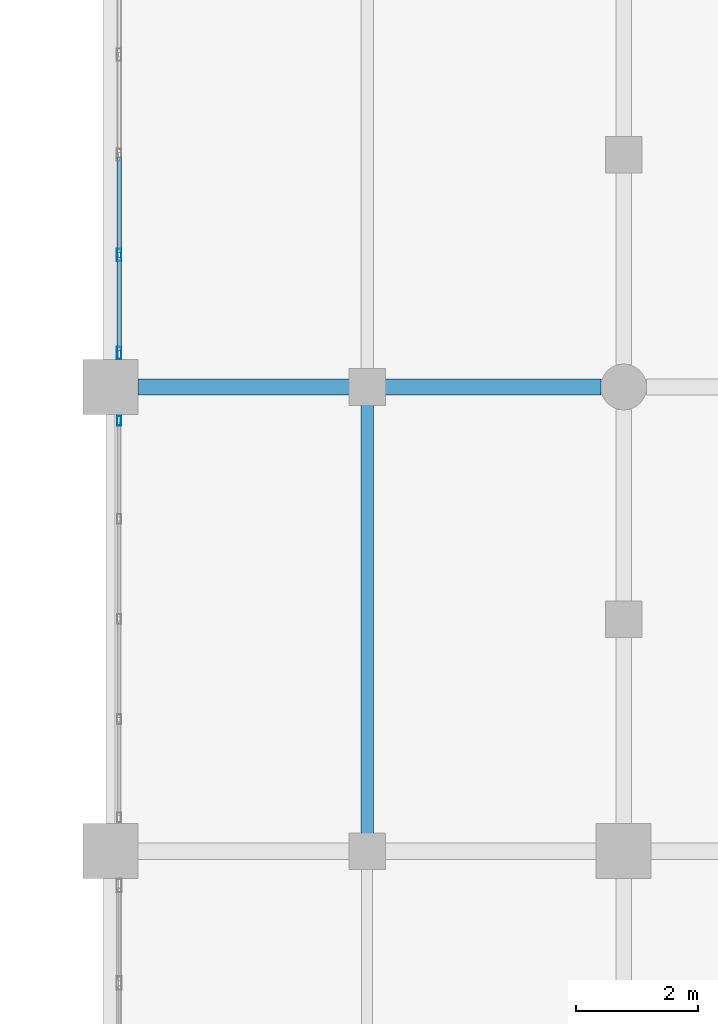
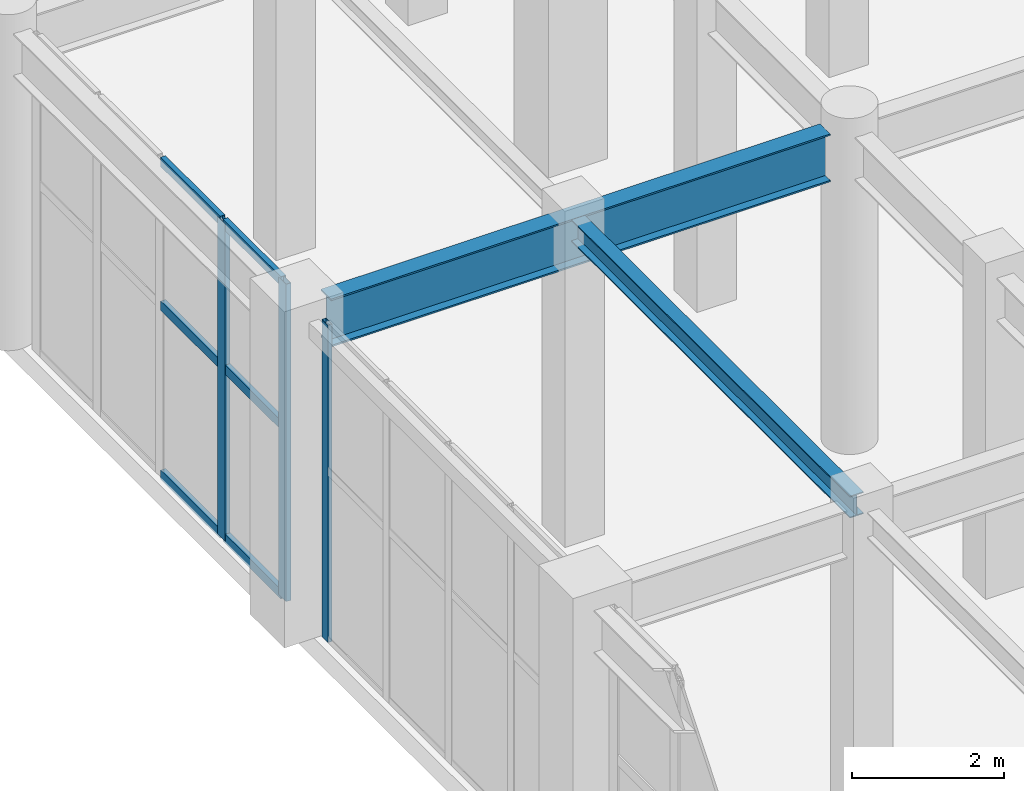
# One storey, part 28 of 139: 9 members, 2 beams, 2 elements without a shape of their own.
"""IFC4 building model written with IfcOpenShell, lengths in metres."""

from ifc_helpers import new_model, si_unit, direction, frame, origin, origin_2d, place, context, subcontext, project, spatial, hollow_rectangle, i_section, extrude, material, layer, layer_set, material_profile, profile_set, type_object, element, aggregate, save


model = new_model("IFC4")

# Units and contexts
model_context = context("Model", 3, precision=1e-05, world=origin(), true_north=direction((0.0, 1.0)))
body_context = subcontext(model_context, "Body", "Model", "MODEL_VIEW")
ifc_project = project(units=[si_unit("LENGTHUNIT", "METRE"), si_unit("AREAUNIT", "SQUARE_METRE"), si_unit("VOLUMEUNIT", "CUBIC_METRE"), si_unit("PLANEANGLEUNIT", "RADIAN"), si_unit("MASSUNIT", "GRAM", prefix="KILO")], contexts=[model_context])

# Site, building, storey
site_placement = place(None, origin())
site = spatial("IfcSite", under=ifc_project, at=site_placement, CompositionType="ELEMENT")
building_placement = place(site_placement, origin())
building = spatial("IfcBuilding", under=site, at=building_placement, Name="Xicomal Pleat Aquarium", CompositionType="ELEMENT")
storey_placement = place(building_placement, origin())
storey = spatial("IfcBuildingStorey", under=building, at=storey_placement, Name="L01", CompositionType="ELEMENT", Elevation=0.0)

# Beams
ifc_material_1 = material(Name="Structural steel A992 Gr 50", Category="steel")
ifc_material_profile_1 = material_profile(ifc_material_1, i_section(OverallWidth=0.205078125, OverallDepth=0.35400390625, WebThickness=0.009521484375, FlangeThickness=0.016845703125, at=origin_2d()), Name="IR 360x79")
ifc_profile_set_1 = profile_set([ifc_material_profile_1], Name="Structural steel A992 Gr 50")
beam_type_1 = type_object("IfcBeamType", Name="BM-STL-IR360", PredefinedType="JOIST", material=ifc_profile_set_1)
beam_1_placement = place(storey_placement, frame((48.0, 45.737060546875, 4.923095703125), z_axis=(0.0, 1.0, 0.0), x_axis=(-1.0, 0.0, 0.0)))
element("IfcBeam", 1, at=beam_1_placement, inside=storey, type_object=beam_type_1, Name="L01 framing beam FBJ-L01-06-G-1", PredefinedType="JOIST", context=body_context, shape_type="SweptSolid", body=[
    extrude(i_section(OverallWidth=0.205078125, OverallDepth=0.35400390625, WebThickness=0.009521484375, FlangeThickness=0.016845703125, at=origin_2d()), origin(), (0.0, 0.0, 1.0), 7.325927734375),
])
ifc_material_2 = material(Name="Structural steel A992 Gr 50", Category="steel")
ifc_material_profile_2 = material_profile(ifc_material_2, i_section(OverallWidth=0.26806640625, OverallDepth=0.77001953125, WebThickness=0.015625, FlangeThickness=0.025390625, at=origin_2d()), Name="IR 760x196")
ifc_profile_set_2 = profile_set([ifc_material_profile_2], Name="Structural steel A992 Gr 50")
beam_type_2 = type_object("IfcBeamType", Name="BM-STL-IR760", PredefinedType="BEAM", material=ifc_profile_set_2)
beam_2_placement = place(storey_placement, frame((44.2451171875, 53.199951171875, 4.715087890625), z_axis=(1.0, 0.0, 0.0), x_axis=(0.0, 1.0, 0.0)))
element("IfcBeam", 2, at=beam_2_placement, inside=storey, type_object=beam_type_2, Name="L01 framing beam FGX-L01-06-07-H", PredefinedType="BEAM", context=body_context, shape_type="SweptSolid", body=[
    extrude(i_section(OverallWidth=0.26806640625, OverallDepth=0.77001953125, WebThickness=0.015625, FlangeThickness=0.025390625, at=origin_2d()), origin(), (0.0, 0.0, 1.0), 7.5849609375),
])

# Curtain wall, member
ifc_material_3 = material(Name="Bronze anodized aluminium 6063-T6", Category="aluminium")
ifc_layer_1 = layer(ifc_material_3, 0.159912109375)
ifc_layer_set_1 = layer_set([ifc_layer_1], Name="Bronze anodized aluminium 6063-T6")
curtain_wall_type_1 = type_object("IfcCurtainWallType", Name="CW-SYS-01", PredefinedType="NOTDEFINED", material=ifc_layer_set_1)
curtain_wall_1_placement = place(storey_placement, origin())
curtain_wall_1 = element("IfcCurtainWall", 3, at=curtain_wall_1_placement, inside=storey, type_object=curtain_wall_type_1, Name="L01 unitised curtain wall CW-L01-030", PredefinedType="NOTDEFINED")
ifc_material_4 = material(Name="Bronze anodized aluminium 6063-T6", Category="aluminium")
ifc_material_profile_3 = material_profile(ifc_material_4, hollow_rectangle(XDim=0.06494140625, YDim=0.159912109375, WallThickness=0.00390625, at=origin_2d()), Name="ALU MULL 65x160")
ifc_profile_set_3 = profile_set([ifc_material_profile_3], Name="Bronze anodized aluminium 6063-T6")
member_type_1 = type_object("IfcMemberType", Name="CWM-65x160", PredefinedType="MULLION", material=ifc_profile_set_3)
member_1_placement = place(storey_placement, frame((43.93994140625, 52.6474609375, 0.0), z_axis=(0.0, 0.0, 1.0), x_axis=(-1.0, 0.0, 0.0)))
member_1 = element("IfcMember", 4, at=member_1_placement, type_object=member_type_1, Name="CW-01 mullion 5", PredefinedType="MULLION", context=body_context, shape_type="SweptSolid", body=[
    extrude(hollow_rectangle(XDim=0.06494140625, YDim=0.159912109375, WallThickness=0.00390625, at=origin_2d()), origin(), (0.0, 0.0, 1.0), 5.10009765625),
])
aggregate(curtain_wall_1, [member_1])

# Curtain wall, members
ifc_material_5 = material(Name="Bronze anodized aluminium 6063-T6", Category="aluminium")
ifc_layer_2 = layer(ifc_material_5, 0.159912109375)
ifc_layer_set_2 = layer_set([ifc_layer_2], Name="Bronze anodized aluminium 6063-T6")
curtain_wall_type_2 = type_object("IfcCurtainWallType", Name="CW-SYS-06", PredefinedType="NOTDEFINED", material=ifc_layer_set_2)
curtain_wall_2_placement = place(storey_placement, origin())
curtain_wall_2 = element("IfcCurtainWall", 5, at=curtain_wall_2_placement, inside=storey, type_object=curtain_wall_type_2, Name="L01 unitised curtain wall CW-L01-031", PredefinedType="NOTDEFINED")
ifc_material_6 = material(Name="Bronze anodized aluminium 6063-T6", Category="aluminium")
ifc_material_profile_4 = material_profile(ifc_material_6, hollow_rectangle(XDim=0.074951171875, YDim=0.199951171875, WallThickness=0.00439453125, at=origin_2d()), Name="ALU MULL 75x200")
ifc_profile_set_4 = profile_set([ifc_material_profile_4], Name="Bronze anodized aluminium 6063-T6")
member_type_2 = type_object("IfcMemberType", Name="CWM-75x200", PredefinedType="MULLION", material=ifc_profile_set_4)
member_2_placement = place(storey_placement, frame((43.93994140625, 53.757568359375, 0.0), z_axis=(0.0, 0.0, 1.0), x_axis=(-1.0, 0.0, 0.0)))
member_2 = element("IfcMember", 6, at=member_2_placement, type_object=member_type_2, Name="CW-06 mullion 1", PredefinedType="MULLION", context=body_context, shape_type="SweptSolid", body=[
    extrude(hollow_rectangle(XDim=0.074951171875, YDim=0.199951171875, WallThickness=0.00439453125, at=origin_2d()), origin(), (0.0, 0.0, 1.0), 5.10009765625),
])
member_3_placement = place(storey_placement, frame((43.93994140625, 55.360107421875, 0.0), z_axis=(0.0, 0.0, 1.0), x_axis=(-1.0, 0.0, 0.0)))
member_3 = element("IfcMember", 7, at=member_3_placement, type_object=member_type_2, Name="CW-06 mullion 2", PredefinedType="MULLION", context=body_context, shape_type="SweptSolid", body=[
    extrude(hollow_rectangle(XDim=0.074951171875, YDim=0.199951171875, WallThickness=0.00439453125, at=origin_2d()), origin(), (0.0, 0.0, 1.0), 5.10009765625),
])
ifc_material_7 = material(Name="Bronze anodized aluminium 6063-T6", Category="aluminium")
ifc_material_profile_5 = material_profile(ifc_material_7, hollow_rectangle(XDim=0.074951171875, YDim=0.14990234375, WallThickness=0.00439453125, at=origin_2d()), Name="ALU TRAN 75x150")
ifc_profile_set_5 = profile_set([ifc_material_profile_5], Name="Bronze anodized aluminium 6063-T6")
member_type_3 = type_object("IfcMemberType", Name="CWT-75x150", PredefinedType="USERDEFINED", material=ifc_profile_set_5)
member_4_placement = place(storey_placement, frame((43.93994140625, 53.794921875, 0.03759765625), z_axis=(0.0, 1.0, 0.0), x_axis=(-1.0, 0.0, 0.0)))
member_4 = element("IfcMember", 8, at=member_4_placement, type_object=member_type_3, Name="CW-06 transom 1.1", ObjectType="TRANSOM", PredefinedType="USERDEFINED", context=body_context, shape_type="SweptSolid", body=[
    extrude(hollow_rectangle(XDim=0.074951171875, YDim=0.14990234375, WallThickness=0.00439453125, at=origin_2d()), origin(), (0.0, 0.0, 1.0), 1.527587890625),
])
member_5_placement = place(storey_placement, frame((43.93994140625, 53.794921875, 2.75390625), z_axis=(0.0, 1.0, 0.0), x_axis=(-1.0, 0.0, 0.0)))
member_5 = element("IfcMember", 9, at=member_5_placement, type_object=member_type_3, Name="CW-06 transom 1.2", ObjectType="TRANSOM", PredefinedType="USERDEFINED", context=body_context, shape_type="SweptSolid", body=[
    extrude(hollow_rectangle(XDim=0.074951171875, YDim=0.14990234375, WallThickness=0.00439453125, at=origin_2d()), origin(), (0.0, 0.0, 1.0), 1.527587890625),
])
member_6_placement = place(storey_placement, frame((43.93994140625, 53.794921875, 5.0625), z_axis=(0.0, 1.0, 0.0), x_axis=(-1.0, 0.0, 0.0)))
member_6 = element("IfcMember", 10, at=member_6_placement, type_object=member_type_3, Name="CW-06 transom 1.3", ObjectType="TRANSOM", PredefinedType="USERDEFINED", context=body_context, shape_type="SweptSolid", body=[
    extrude(hollow_rectangle(XDim=0.074951171875, YDim=0.14990234375, WallThickness=0.00439453125, at=origin_2d()), origin(), (0.0, 0.0, 1.0), 1.527587890625),
])
member_7_placement = place(storey_placement, frame((43.93994140625, 55.3974609375, 0.03759765625), z_axis=(0.0, 1.0, 0.0), x_axis=(-1.0, 0.0, 0.0)))
member_7 = element("IfcMember", 11, at=member_7_placement, type_object=member_type_3, Name="CW-06 transom 2.1", ObjectType="TRANSOM", PredefinedType="USERDEFINED", context=body_context, shape_type="SweptSolid", body=[
    extrude(hollow_rectangle(XDim=0.074951171875, YDim=0.14990234375, WallThickness=0.00439453125, at=origin_2d()), origin(), (0.0, 0.0, 1.0), 1.56494140625),
])
member_8_placement = place(storey_placement, frame((43.93994140625, 55.3974609375, 2.75390625), z_axis=(0.0, 1.0, 0.0), x_axis=(-1.0, 0.0, 0.0)))
member_8 = element("IfcMember", 12, at=member_8_placement, type_object=member_type_3, Name="CW-06 transom 2.2", ObjectType="TRANSOM", PredefinedType="USERDEFINED", context=body_context, shape_type="SweptSolid", body=[
    extrude(hollow_rectangle(XDim=0.074951171875, YDim=0.14990234375, WallThickness=0.00439453125, at=origin_2d()), origin(), (0.0, 0.0, 1.0), 1.56494140625),
])
member_9_placement = place(storey_placement, frame((43.93994140625, 55.3974609375, 5.0625), z_axis=(0.0, 1.0, 0.0), x_axis=(-1.0, 0.0, 0.0)))
member_9 = element("IfcMember", 13, at=member_9_placement, type_object=member_type_3, Name="CW-06 transom 2.3", ObjectType="TRANSOM", PredefinedType="USERDEFINED", context=body_context, shape_type="SweptSolid", body=[
    extrude(hollow_rectangle(XDim=0.074951171875, YDim=0.14990234375, WallThickness=0.00439453125, at=origin_2d()), origin(), (0.0, 0.0, 1.0), 1.56494140625),
])
aggregate(curtain_wall_2, [member_2, member_3, member_4, member_5, member_6, member_7, member_8, member_9])

save(model, "model.ifc")
